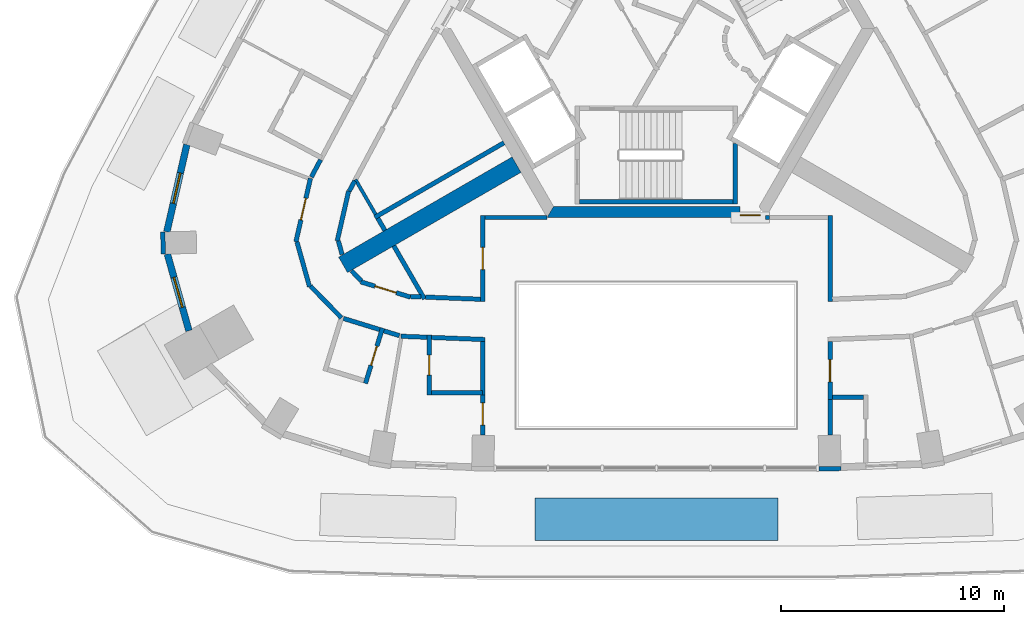
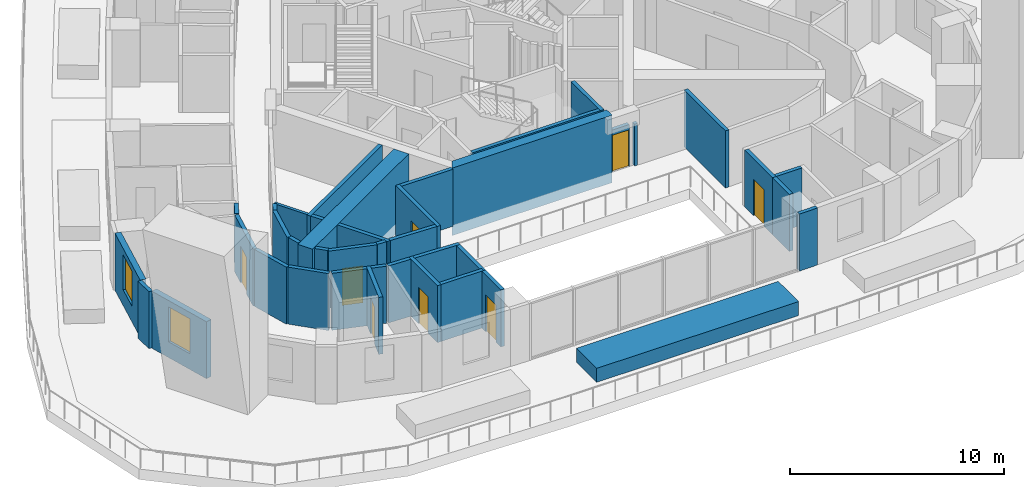
# One storey, part 3 of 12: 41 walls, 8 doors, 2 windows, 10 openings.
"""IFC4 building model written with IfcOpenShell, lengths in metres."""

from ifc_helpers import new_model, si_unit, direction, frame, frame_2d, origin, place, context, subcontext, project, spatial, polyline, rectangle, outline, extrude, material, layer, layer_set, type_object, element, fill, save


model = new_model("IFC4")

# Units and contexts
model_context = context("Model", 3, precision=1e-05, world=origin(), true_north=direction((0.0, 1.0)))
body_context = subcontext(model_context, "Body", "Model", "MODEL_VIEW")
ifc_project = project(units=[si_unit("LENGTHUNIT", "METRE"), si_unit("AREAUNIT", "SQUARE_METRE"), si_unit("VOLUMEUNIT", "CUBIC_METRE"), si_unit("PLANEANGLEUNIT", "RADIAN"), si_unit("MASSUNIT", "GRAM", prefix="KILO")], contexts=[model_context])

# Site, building, storey
site_placement = place(None, origin())
site = spatial("IfcSite", under=ifc_project, at=site_placement, CompositionType="ELEMENT")
building_placement = place(site_placement, origin())
building = spatial("IfcBuilding", under=site, at=building_placement, Name="Entoto Arch Interchange Tower", CompositionType="ELEMENT")
storey_placement = place(building_placement, frame((0.0, 0.0, 286.39990234375)))
storey = spatial("IfcBuildingStorey", under=building, at=storey_placement, Name="L66", CompositionType="ELEMENT", Elevation=286.39990234375)

# Wall
ifc_material_1 = material(Name="Concrete C40/50", Category="concrete")
ifc_layer_1 = layer(ifc_material_1, 0.800048828125)
ifc_layer_set_1 = layer_set([ifc_layer_1], Name="Concrete C40/50")
wall_type_1 = type_object("IfcWallType", Name="Buttress wall 800 C40/50", PredefinedType="SHEAR", material=ifc_layer_set_1)
wall_1_placement = place(storey_placement, frame((-6.279052734375, -3.625, -0.599853515625), z_axis=(0.0, 0.0, 1.0), x_axis=(-0.866017533419, -0.500013631625, 0.0)))
element("IfcWall", 1, at=wall_1_placement, inside=storey, type_object=wall_type_1, Name="Buttress wall SW L66", PredefinedType="SHEAR", context=body_context, shape_type="SweptSolid", body=[
    extrude(rectangle(XDim=8.999755859375, YDim=0.800048828125, at=frame_2d((4.5, 0.0))), origin(), (0.0, 0.0, 1.0), 3.85986328125),
])

# Wall, opening, door
ifc_material_2 = material(Name="Reinforced concrete C40/50", Category="concrete")
ifc_layer_2 = layer(ifc_material_2, 0.199951171875)
ifc_layer_set_2 = layer_set([ifc_layer_2], Name="Reinforced concrete C40/50")
wall_type_2 = type_object("IfcWallType", Name="CORE GAP INFILL WALL", PredefinedType="PARTITIONING", material=ifc_layer_set_2)
wall_2_placement = place(storey_placement, frame((3.75, -5.89990234375, 0.0), z_axis=(0.0, 0.0, 1.0), x_axis=(1.0, 0.0, 0.0)))
wall_2 = element("IfcWall", 2, at=wall_2_placement, inside=storey, type_object=wall_type_2, Name="wall:L66:gap1", PredefinedType="PARTITIONING", context=body_context, shape_type="SweptSolid", body=[
    extrude(rectangle(XDim=0.926025390625, YDim=0.199951171875, at=frame_2d((0.462890625, 0.0))), origin(), (0.0, 0.0, 1.0), 2.400146484375),
])
opening_1_placement = place(wall_2_placement, frame((0.01708984375, 0.0, 0.0)))
opening_1 = element("IfcOpeningElement", 3, at=opening_1_placement, cuts=wall_2, Name="Opening L66-D91", PredefinedType="OPENING", context=body_context, shape_type="SweptSolid", body=[
    extrude(rectangle(XDim=0.89990234375, YDim=2.10009765625, at=frame_2d((0.449951171875, 1.050048828125))), frame((0.0, 0.10986328125, 0.0), z_axis=(0.0, -1.0, 0.0), x_axis=(1.0, 0.0, 0.0)), (0.0, 0.0, 1.0), 0.219970703125),
])
ifc_material_3 = material(Name="Fire-rated Steel S235 door and frame", Category="steel")
door_type_1 = type_object("IfcDoorType", Name="DOOR FD-09 900x2100", OperationType="SINGLE_SWING_LEFT", PredefinedType="DOOR", material=ifc_material_3)
door_1_placement = place(opening_1_placement, origin())
door_1 = element("IfcDoor", 4, at=door_1_placement, inside=storey, type_object=door_type_1, Name="door:L66:gap1", OperationType="SINGLE_SWING_LEFT", OverallHeight=2.10009765625, OverallWidth=0.89990234375, PredefinedType="DOOR", context=body_context, shape_type="SweptSolid", body=[
    extrude(rectangle(XDim=0.89990234375, YDim=2.10009765625, at=frame_2d((0.449951171875, 1.050048828125))), frame((0.0, 0.02490234375, 0.0), z_axis=(0.0, -1.0, 0.0), x_axis=(1.0, 0.0, 0.0)), (0.0, 0.0, 1.0), 0.050048828125),
])
fill(opening_1, door_1)

# Walls
ifc_layer_3 = layer(ifc_material_1, 0.5)
ifc_layer_set_3 = layer_set([ifc_layer_3], Name="Concrete C40/50")
wall_type_3 = type_object("IfcWallType", Name="Core wall 500 C40/50", PredefinedType="SHEAR", material=ifc_layer_set_3)
wall_3_placement = place(storey_placement, frame((0.0, 0.0, -0.599853515625)))
element("IfcWall", 5, at=wall_3_placement, inside=storey, type_object=wall_type_3, Name="Core wall S L66", PredefinedType="SHEAR", context=body_context, shape_type="SweptSolid", body=[
    extrude(outline(polyline([(3.75, -6.0), (3.75, -5.5), (-4.618896484375, -5.5), (-4.906982421875, -6.0), (3.75, -6.0)])), origin(), (0.0, 0.0, 1.0), 3.85986328125),
])
ifc_material_4 = material(Name="Gypsum board partition on steel studs", Category="steel")
ifc_layer_4 = layer(ifc_material_4, 0.14990234375)
ifc_layer_set_4 = layer_set([ifc_layer_4], Name="Gypsum board partition on steel studs")
wall_type_4 = type_object("IfcWallType", Name="PARTITION 150", PredefinedType="PARTITIONING", material=ifc_layer_set_4)
wall_4_placement = place(storey_placement, frame((-12.611083984375, -5.85693359375, 0.0), z_axis=(0.0, 0.0, 1.0), x_axis=(-0.500120037633, 0.865956088932, 0.0)))
element("IfcWall", 6, at=wall_4_placement, inside=storey, type_object=wall_type_4, Name="wall:L66:p083", PredefinedType="PARTITIONING", context=body_context, shape_type="SweptSolid", body=[
    extrude(rectangle(XDim=1.80712890625, YDim=0.14990234375, at=frame_2d((0.903564453125, 0.0))), origin(), (0.0, 0.0, 1.0), 3.260009765625),
])
ifc_layer_5 = layer(ifc_material_4, 0.199951171875)
ifc_layer_set_5 = layer_set([ifc_layer_5], Name="Gypsum board partition on steel studs")
wall_type_5 = type_object("IfcWallType", Name="PARTITION 200", PredefinedType="PARTITIONING", material=ifc_layer_set_5)
wall_5_placement = place(storey_placement, frame((-10.366943359375, -9.573974609375, 0.0), z_axis=(0.0, 0.0, 1.0), x_axis=(0.999229139158, -0.039257196264, 0.0)))
element("IfcWall", 7, at=wall_5_placement, inside=storey, type_object=wall_type_5, Name="wall:L66:p023", PredefinedType="PARTITIONING", context=body_context, shape_type="SweptSolid", body=[
    extrude(rectangle(XDim=2.468994140625, YDim=0.199951171875, at=frame_2d((1.234375, 0.0))), origin(), (0.0, 0.0, 1.0), 3.260009765625),
])
wall_6_placement = place(storey_placement, frame((-13.550048828125, -4.35791015625, 0.0), z_axis=(0.0, 0.0, 1.0), x_axis=(-0.472169364753, -0.881507850781, 0.0)))
element("IfcWall", 8, at=wall_6_placement, inside=storey, type_object=wall_type_5, Name="wall:L66:p024", PredefinedType="PARTITIONING", context=body_context, shape_type="SweptSolid", body=[
    extrude(rectangle(XDim=0.520751953125, YDim=0.199951171875, at=frame_2d((0.26025390625, 0.0))), origin(), (0.0, 0.0, 1.0), 3.260009765625),
])
wall_7_placement = place(storey_placement, frame((-13.821044921875, -4.80810546875, 0.0), z_axis=(0.0, 0.0, 1.0), x_axis=(-0.223248099856, -0.97476165595, 0.0)))
element("IfcWall", 9, at=wall_7_placement, inside=storey, type_object=wall_type_5, Name="wall:L66:p025", PredefinedType="PARTITIONING", context=body_context, shape_type="SweptSolid", body=[
    extrude(rectangle(XDim=2.302001953125, YDim=0.199951171875, at=frame_2d((1.15087890625, 0.0))), origin(), (0.0, 0.0, 1.0), 3.260009765625),
])
wall_8_placement = place(storey_placement, frame((-14.285888671875, -7.051025390625, 0.0), z_axis=(0.0, 0.0, 1.0), x_axis=(0.270633612894, -0.96268242301, 0.0)))
element("IfcWall", 10, at=wall_8_placement, inside=storey, type_object=wall_type_5, Name="wall:L66:p026", PredefinedType="PARTITIONING", context=body_context, shape_type="SweptSolid", body=[
    extrude(rectangle(XDim=0.631591796875, YDim=0.199951171875, at=frame_2d((0.31591796875, 0.0))), origin(), (0.0, 0.0, 1.0), 3.260009765625),
])
wall_9_placement = place(storey_placement, frame((-13.68994140625, -8.39501953125, 0.0), z_axis=(0.0, 0.0, 1.0), x_axis=(0.698333537371, -0.715772499181, 0.0)))
element("IfcWall", 11, at=wall_9_placement, inside=storey, type_object=wall_type_5, Name="wall:L66:p027", PredefinedType="PARTITIONING", context=body_context, shape_type="SweptSolid", body=[
    extrude(rectangle(XDim=0.6298828125, YDim=0.199951171875, at=frame_2d((0.31494140625, 0.0))), origin(), (0.0, 0.0, 1.0), 3.260009765625),
])

# Wall, opening, door
wall_10_placement = place(storey_placement, frame((-13.27490234375, -8.887939453125, 0.0), z_axis=(0.0, 0.0, 1.0), x_axis=(0.955792602122, -0.294041666654, 0.0)))
wall_10 = element("IfcWall", 12, at=wall_10_placement, inside=storey, type_object=wall_type_5, Name="wall:L66:p028", PredefinedType="PARTITIONING", context=body_context, shape_type="SweptSolid", body=[
    extrude(rectangle(XDim=2.329833984375, YDim=0.199951171875, at=frame_2d((1.1650390625, 0.0))), origin(), (0.0, 0.0, 1.0), 3.260009765625),
])
opening_2_placement = place(wall_10_placement, frame((0.6650390625, 0.0, 0.0)))
opening_2 = element("IfcOpeningElement", 13, at=opening_2_placement, cuts=wall_10, Name="Opening L66-D33", PredefinedType="OPENING", context=body_context, shape_type="SweptSolid", body=[
    extrude(rectangle(XDim=1.0, YDim=2.10009765625, at=frame_2d((0.5, 1.050048828125))), frame((0.0, 0.10986328125, 0.0), z_axis=(0.0, -1.0, 0.0), x_axis=(1.0, 0.0, 0.0)), (0.0, 0.0, 1.0), 0.219970703125),
])
ifc_material_5 = material(Name="Timber door leaf in Steel S235 frame", Category="steel")
door_type_2 = type_object("IfcDoorType", Name="DOOR DS-10 1000x2100", OperationType="SINGLE_SWING_LEFT", PredefinedType="DOOR", material=ifc_material_5)
door_2_placement = place(opening_2_placement, origin())
door_2 = element("IfcDoor", 14, at=door_2_placement, inside=storey, type_object=door_type_2, Name="door:L66:33", OperationType="SINGLE_SWING_LEFT", OverallHeight=2.10009765625, OverallWidth=1.0, PredefinedType="DOOR", context=body_context, shape_type="SweptSolid", body=[
    extrude(rectangle(XDim=1.0, YDim=2.10009765625, at=frame_2d((0.5, 1.050048828125))), frame((0.0, 0.02490234375, 0.0), z_axis=(0.0, -1.0, 0.0), x_axis=(1.0, 0.0, 0.0)), (0.0, 0.0, 1.0), 0.050048828125),
])
fill(opening_2, door_2)

# Walls
wall_11_placement = place(storey_placement, frame((-11.0439453125, -9.547119140625, 0.0), z_axis=(0.0, 0.0, 1.0), x_axis=(0.999224473046, -0.039375785274, 0.0)))
element("IfcWall", 15, at=wall_11_placement, inside=storey, type_object=wall_type_5, Name="wall:L66:p029", PredefinedType="PARTITIONING", context=body_context, shape_type="SweptSolid", body=[
    extrude(rectangle(XDim=0.4775390625, YDim=0.199951171875, at=frame_2d((0.23876953125, 0.0))), origin(), (0.0, 0.0, 1.0), 3.260009765625),
])
wall_12_placement = place(storey_placement, frame((-15.49609375, -4.179931640625, 0.0), z_axis=(0.0, 0.0, 1.0), x_axis=(0.471280380621, 0.881983448167, 0.0)))
element("IfcWall", 16, at=wall_12_placement, inside=storey, type_object=wall_type_5, Name="wall:L66:p052", PredefinedType="PARTITIONING", context=body_context, shape_type="SweptSolid", body=[
    extrude(rectangle(XDim=0.878662109375, YDim=0.199951171875, at=frame_2d((0.439453125, 0.0))), origin(), (0.0, 0.0, 1.0), 3.260009765625),
])
wall_13_placement = place(storey_placement, frame((-11.5439453125, -11.302978515625, 0.0), z_axis=(0.0, 0.0, 1.0), x_axis=(-0.956186468463, 0.292758326147, 0.0)))
element("IfcWall", 17, at=wall_13_placement, inside=storey, type_object=wall_type_5, Name="wall:L66:p054", PredefinedType="PARTITIONING", context=body_context, shape_type="SweptSolid", body=[
    extrude(rectangle(XDim=0.723876953125, YDim=0.199951171875, at=frame_2d((0.36181640625, 0.0))), origin(), (0.0, 0.0, 1.0), 3.260009765625),
])
wall_14_placement = place(storey_placement, frame((-14.14697265625, -10.5029296875, 0.0), z_axis=(0.0, 0.0, 1.0), x_axis=(-0.698515752779, 0.715594677957, 0.0)))
element("IfcWall", 18, at=wall_14_placement, inside=storey, type_object=wall_type_5, Name="wall:L66:p055", PredefinedType="PARTITIONING", context=body_context, shape_type="SweptSolid", body=[
    extrude(rectangle(XDim=1.987060546875, YDim=0.199951171875, at=frame_2d((0.99365234375, 0.0))), origin(), (0.0, 0.0, 1.0), 3.260009765625),
])
wall_15_placement = place(storey_placement, frame((-15.577880859375, -9.10595703125, 0.0), z_axis=(0.0, 0.0, 1.0), x_axis=(-0.270688011946, 0.962667128445, 0.0)))
element("IfcWall", 19, at=wall_15_placement, inside=storey, type_object=wall_type_5, Name="wall:L66:p056", PredefinedType="PARTITIONING", context=body_context, shape_type="SweptSolid", body=[
    extrude(rectangle(XDim=2.087890625, YDim=0.199951171875, at=frame_2d((1.0439453125, 0.0))), origin(), (0.0, 0.0, 1.0), 3.260009765625),
])

# Wall, opening, door
wall_16_placement = place(storey_placement, frame((-16.19189453125, -7.097900390625, 0.0), z_axis=(0.0, 0.0, 1.0), x_axis=(0.22330023395, 0.974749714295, 0.0)))
wall_16 = element("IfcWall", 20, at=wall_16_placement, inside=storey, type_object=wall_type_5, Name="wall:L66:p057", PredefinedType="PARTITIONING", context=body_context, shape_type="SweptSolid", body=[
    extrude(rectangle(XDim=2.927978515625, YDim=0.199951171875, at=frame_2d((1.4638671875, 0.0))), origin(), (0.0, 0.0, 1.0), 3.260009765625),
])
opening_3_placement = place(wall_16_placement, frame((1.013916015625, 0.0, 0.0)))
opening_3 = element("IfcOpeningElement", 21, at=opening_3_placement, cuts=wall_16, Name="Opening L66-D24", PredefinedType="OPENING", context=body_context, shape_type="SweptSolid", body=[
    extrude(rectangle(XDim=1.0, YDim=2.10009765625, at=frame_2d((0.5, 1.050048828125))), frame((0.0, 0.10986328125, 0.0), z_axis=(0.0, -1.0, 0.0), x_axis=(1.0, 0.0, 0.0)), (0.0, 0.0, 1.0), 0.219970703125),
])
door_type_3 = type_object("IfcDoorType", Name="DOOR FD-10 1000x2100", OperationType="SINGLE_SWING_LEFT", PredefinedType="DOOR", material=ifc_material_3)
door_3_placement = place(opening_3_placement, origin())
door_3 = element("IfcDoor", 22, at=door_3_placement, inside=storey, type_object=door_type_3, Name="door:L66:24", OperationType="SINGLE_SWING_LEFT", OverallHeight=2.10009765625, OverallWidth=1.0, PredefinedType="DOOR", context=body_context, shape_type="SweptSolid", body=[
    extrude(rectangle(XDim=1.0, YDim=2.10009765625, at=frame_2d((0.5, 1.050048828125))), frame((0.0, 0.02490234375, 0.0), z_axis=(0.0, -1.0, 0.0), x_axis=(1.0, 0.0, 0.0)), (0.0, 0.0, 1.0), 0.050048828125),
])
fill(opening_3, door_3)

# Walls
wall_17_placement = place(storey_placement, frame((-12.427001953125, -11.031982421875, 0.0), z_axis=(0.0, 0.0, 1.0), x_axis=(-0.955940341053, 0.293561006177, 0.0)))
element("IfcWall", 23, at=wall_17_placement, inside=storey, type_object=wall_type_5, Name="wall:L66:p058", PredefinedType="PARTITIONING", context=body_context, shape_type="SweptSolid", body=[
    extrude(rectangle(XDim=1.699951171875, YDim=0.199951171875, at=frame_2d((0.85009765625, 0.0))), origin(), (0.0, 0.0, 1.0), 3.260009765625),
])
wall_18_placement = place(storey_placement, frame((-10.299072265625, -11.3779296875, 0.0), z_axis=(0.0, 0.0, 1.0), x_axis=(-0.999237995813, 0.03903111224, 0.0)))
element("IfcWall", 24, at=wall_18_placement, inside=storey, type_object=wall_type_5, Name="wall:L66:p059", PredefinedType="PARTITIONING", context=body_context, shape_type="SweptSolid", body=[
    extrude(rectangle(XDim=1.176025390625, YDim=0.199951171875, at=frame_2d((0.587890625, 0.0))), origin(), (0.0, 0.0, 1.0), 3.260009765625),
])
wall_19_placement = place(storey_placement, frame((-7.699951171875, -11.47998046875, 0.0), z_axis=(0.0, 0.0, 1.0), x_axis=(-0.999233433291, 0.039147743138, 0.0)))
element("IfcWall", 25, at=wall_19_placement, inside=storey, type_object=wall_type_5, Name="wall:L66:p060", PredefinedType="PARTITIONING", context=body_context, shape_type="SweptSolid", body=[
    extrude(rectangle(XDim=2.401123046875, YDim=0.199951171875, at=frame_2d((1.20068359375, 0.0))), origin(), (0.0, 0.0, 1.0), 3.260009765625),
])
wall_20_placement = place(storey_placement, frame((4.907958984375, -5.9990234375, 0.0), z_axis=(0.0, 0.0, 1.0), x_axis=(1.0, 0.0, 0.0)))
element("IfcWall", 26, at=wall_20_placement, inside=storey, type_object=wall_type_5, Name="wall:L66:p073", PredefinedType="PARTITIONING", context=body_context, shape_type="SweptSolid", body=[
    extrude(rectangle(XDim=0.16796875, YDim=0.199951171875, at=frame_2d((0.083984375, 0.0))), origin(), (0.0, 0.0, 1.0), 2.400146484375),
])
wall_21_placement = place(storey_placement, frame((7.800048828125, -5.89892578125, 0.0), z_axis=(0.0, 0.0, 1.0), x_axis=(0.0, -1.0, 0.0)))
element("IfcWall", 27, at=wall_21_placement, inside=storey, type_object=wall_type_5, Name="wall:L66:p074", PredefinedType="PARTITIONING", context=body_context, shape_type="SweptSolid", body=[
    extrude(rectangle(XDim=3.8759765625, YDim=0.199951171875, at=frame_2d((1.93798828125, 0.0))), origin(), (0.0, 0.0, 1.0), 3.260009765625),
])

# Wall, opening, door
wall_22_placement = place(storey_placement, frame((-7.800048828125, -9.77490234375, 0.0), z_axis=(0.0, 0.0, 1.0), x_axis=(0.0, 1.0, 0.0)))
wall_22 = element("IfcWall", 28, at=wall_22_placement, inside=storey, type_object=wall_type_5, Name="wall:L66:p075", PredefinedType="PARTITIONING", context=body_context, shape_type="SweptSolid", body=[
    extrude(rectangle(XDim=3.8759765625, YDim=0.199951171875, at=frame_2d((1.93798828125, 0.0))), origin(), (0.0, 0.0, 1.0), 3.260009765625),
])
opening_4_placement = place(wall_22_placement, frame((1.43798828125, 0.0, 0.0)))
opening_4 = element("IfcOpeningElement", 29, at=opening_4_placement, cuts=wall_22, Name="Opening L66-D32", PredefinedType="OPENING", context=body_context, shape_type="SweptSolid", body=[
    extrude(rectangle(XDim=1.0, YDim=2.10009765625, at=frame_2d((0.5, 1.050048828125))), frame((0.0, 0.10986328125, 0.0), z_axis=(0.0, -1.0, 0.0), x_axis=(1.0, 0.0, 0.0)), (0.0, 0.0, 1.0), 0.219970703125),
])
door_4_placement = place(opening_4_placement, origin())
door_4 = element("IfcDoor", 30, at=door_4_placement, inside=storey, type_object=door_type_2, Name="door:L66:32", OperationType="SINGLE_SWING_LEFT", OverallHeight=2.10009765625, OverallWidth=1.0, PredefinedType="DOOR", context=body_context, shape_type="SweptSolid", body=[
    extrude(rectangle(XDim=1.0, YDim=2.10009765625, at=frame_2d((0.5, 1.050048828125))), frame((0.0, 0.02490234375, 0.0), z_axis=(0.0, -1.0, 0.0), x_axis=(1.0, 0.0, 0.0)), (0.0, 0.0, 1.0), 0.050048828125),
])
fill(opening_4, door_4)

# Wall
wall_23_placement = place(storey_placement, frame((-7.699951171875, -5.9990234375, 0.0), z_axis=(0.0, 0.0, 1.0), x_axis=(1.0, 0.0, 0.0)))
element("IfcWall", 31, at=wall_23_placement, inside=storey, type_object=wall_type_5, Name="wall:L66:p076", PredefinedType="PARTITIONING", context=body_context, shape_type="SweptSolid", body=[
    extrude(rectangle(XDim=2.7919921875, YDim=0.199951171875, at=frame_2d((1.39599609375, 0.0))), origin(), (0.0, 0.0, 1.0), 3.260009765625),
])

# Wall, opening, door
wall_24_placement = place(storey_placement, frame((7.800048828125, -11.575927734375, 0.0), z_axis=(0.0, 0.0, 1.0), x_axis=(0.0, -1.0, 0.0)))
wall_24 = element("IfcWall", 32, at=wall_24_placement, inside=storey, type_object=wall_type_5, Name="wall:L66:p077", PredefinedType="PARTITIONING", context=body_context, shape_type="SweptSolid", body=[
    extrude(rectangle(XDim=2.60498046875, YDim=0.199951171875, at=frame_2d((1.302490234375, 0.0))), origin(), (0.0, 0.0, 1.0), 3.260009765625),
])
opening_5_placement = place(wall_24_placement, frame((0.802001953125, 0.0, 0.0)))
opening_5 = element("IfcOpeningElement", 33, at=opening_5_placement, cuts=wall_24, Name="Opening L66-D01", PredefinedType="OPENING", context=body_context, shape_type="SweptSolid", body=[
    extrude(rectangle(XDim=1.0, YDim=2.10009765625, at=frame_2d((0.5, 1.050048828125))), frame((0.0, 0.10986328125, 0.0), z_axis=(0.0, -1.0, 0.0), x_axis=(1.0, 0.0, 0.0)), (0.0, 0.0, 1.0), 0.219970703125),
])
door_5_placement = place(opening_5_placement, origin())
door_5 = element("IfcDoor", 34, at=door_5_placement, inside=storey, type_object=door_type_3, Name="door:L66:01", OperationType="SINGLE_SWING_LEFT", OverallHeight=2.10009765625, OverallWidth=1.0, PredefinedType="DOOR", context=body_context, shape_type="SweptSolid", body=[
    extrude(rectangle(XDim=1.0, YDim=2.10009765625, at=frame_2d((0.5, 1.050048828125))), frame((0.0, 0.02490234375, 0.0), z_axis=(0.0, -1.0, 0.0), x_axis=(1.0, 0.0, 0.0)), (0.0, 0.0, 1.0), 0.050048828125),
])
fill(opening_5, door_5)

# Wall
wall_25_placement = place(storey_placement, frame((7.800048828125, -14.180908203125, 0.0), z_axis=(0.0, 0.0, 1.0), x_axis=(0.0, -1.0, 0.0)))
element("IfcWall", 35, at=wall_25_placement, inside=storey, type_object=wall_type_5, Name="wall:L66:p078", PredefinedType="PARTITIONING", context=body_context, shape_type="SweptSolid", body=[
    extrude(rectangle(XDim=1.580078125, YDim=0.199951171875, at=frame_2d((0.7900390625, 0.0))), origin(), (0.0, 0.0, 1.0), 3.260009765625),
])

# Wall, opening, door
wall_26_placement = place(storey_placement, frame((-7.800048828125, -15.760986328125, 0.0), z_axis=(0.0, 0.0, 1.0), x_axis=(0.0, 1.0, 0.0)))
wall_26 = element("IfcWall", 36, at=wall_26_placement, inside=storey, type_object=wall_type_5, Name="wall:L66:p079", PredefinedType="PARTITIONING", context=body_context, shape_type="SweptSolid", body=[
    extrude(rectangle(XDim=1.784912109375, YDim=0.199951171875, at=frame_2d((0.892578125, 0.0))), origin(), (0.0, 0.0, 1.0), 3.260009765625),
])
opening_6_placement = place(wall_26_placement, frame((0.44189453125, 0.0, 0.0)))
opening_6 = element("IfcOpeningElement", 37, at=opening_6_placement, cuts=wall_26, Name="Opening L66-D26", PredefinedType="OPENING", context=body_context, shape_type="SweptSolid", body=[
    extrude(rectangle(XDim=1.0, YDim=2.10009765625, at=frame_2d((0.5, 1.050048828125))), frame((0.0, 0.10986328125, 0.0), z_axis=(0.0, -1.0, 0.0), x_axis=(1.0, 0.0, 0.0)), (0.0, 0.0, 1.0), 0.219970703125),
])
door_6_placement = place(opening_6_placement, origin())
door_6 = element("IfcDoor", 38, at=door_6_placement, inside=storey, type_object=door_type_3, Name="door:L66:26", OperationType="SINGLE_SWING_RIGHT", OverallHeight=2.10009765625, OverallWidth=1.0, PredefinedType="DOOR", context=body_context, shape_type="SweptSolid", body=[
    extrude(rectangle(XDim=1.0, YDim=2.10009765625, at=frame_2d((0.5, 1.050048828125))), frame((0.0, 0.02490234375, 0.0), z_axis=(0.0, -1.0, 0.0), x_axis=(1.0, 0.0, 0.0)), (0.0, 0.0, 1.0), 0.050048828125),
])
fill(opening_6, door_6)

# Walls
wall_27_placement = place(storey_placement, frame((-7.800048828125, -13.97607421875, 0.0), z_axis=(0.0, 0.0, 1.0), x_axis=(0.0, 1.0, 0.0)))
element("IfcWall", 39, at=wall_27_placement, inside=storey, type_object=wall_type_5, Name="wall:L66:p080", PredefinedType="PARTITIONING", context=body_context, shape_type="SweptSolid", body=[
    extrude(rectangle(XDim=2.400146484375, YDim=0.199951171875, at=frame_2d((1.2001953125, 0.0))), origin(), (0.0, 0.0, 1.0), 3.260009765625),
])
wall_28_placement = place(storey_placement, frame((-6.844970703125, -2.64306640625, 0.0), z_axis=(0.0, 0.0, 1.0), x_axis=(-0.865994457699, -0.500053596362, 0.0)))
element("IfcWall", 40, at=wall_28_placement, inside=storey, type_object=wall_type_5, Name="wall:L66:p082", PredefinedType="PARTITIONING", context=body_context, shape_type="SweptSolid", body=[
    extrude(rectangle(XDim=6.700927734375, YDim=0.199951171875, at=frame_2d((3.3505859375, 0.0))), origin(), (0.0, 0.0, 1.0), 3.260009765625),
])
wall_29_placement = place(storey_placement, frame((-10.4169921875, -9.656982421875, 0.0), z_axis=(0.0, 0.0, 1.0), x_axis=(-0.499837531988, 0.866119184418, 0.0)))
element("IfcWall", 41, at=wall_29_placement, inside=storey, type_object=wall_type_5, Name="wall:L66:p084", PredefinedType="PARTITIONING", context=body_context, shape_type="SweptSolid", body=[
    extrude(rectangle(XDim=2.7548828125, YDim=0.199951171875, at=frame_2d((1.37744140625, 0.0))), origin(), (0.0, 0.0, 1.0), 3.260009765625),
])
wall_30_placement = place(storey_placement, frame((9.300048828125, -14.0810546875, 0.0), z_axis=(0.0, 0.0, 1.0), x_axis=(-1.0, 0.0, 0.0)))
element("IfcWall", 42, at=wall_30_placement, inside=storey, type_object=wall_type_5, Name="wall:L66:p086", PredefinedType="PARTITIONING", context=body_context, shape_type="SweptSolid", body=[
    extrude(rectangle(XDim=1.400146484375, YDim=0.199951171875, at=frame_2d((0.7001953125, 0.0))), origin(), (0.0, 0.0, 1.0), 3.260009765625),
])

# Wall, opening, door
wall_31_placement = place(storey_placement, frame((-13.06591796875, -13.450927734375, 0.0), z_axis=(0.0, 0.0, 1.0), x_axis=(0.293854864179, 0.955850050373, 0.0)))
wall_31 = element("IfcWall", 43, at=wall_31_placement, inside=storey, type_object=wall_type_5, Name="wall:L66:p129", PredefinedType="PARTITIONING", context=body_context, shape_type="SweptSolid", body=[
    extrude(rectangle(XDim=2.599609375, YDim=0.199951171875, at=frame_2d((1.2998046875, 0.0))), origin(), (0.0, 0.0, 1.0), 3.260009765625),
])
opening_7_placement = place(wall_31_placement, frame((0.85009765625, 0.0, 0.0)))
opening_7 = element("IfcOpeningElement", 44, at=opening_7_placement, cuts=wall_31, Name="Opening L66-D25", PredefinedType="OPENING", context=body_context, shape_type="SweptSolid", body=[
    extrude(rectangle(XDim=0.89990234375, YDim=2.10009765625, at=frame_2d((0.449951171875, 1.050048828125))), frame((0.0, 0.10986328125, 0.0), z_axis=(0.0, -1.0, 0.0), x_axis=(1.0, 0.0, 0.0)), (0.0, 0.0, 1.0), 0.219970703125),
])
door_type_4 = type_object("IfcDoorType", Name="DOOR DS-09 900x2100", OperationType="SINGLE_SWING_LEFT", PredefinedType="DOOR", material=ifc_material_5)
door_7_placement = place(opening_7_placement, origin())
door_7 = element("IfcDoor", 45, at=door_7_placement, inside=storey, type_object=door_type_4, Name="door:L66:25", OperationType="SINGLE_SWING_LEFT", OverallHeight=2.10009765625, OverallWidth=0.89990234375, PredefinedType="DOOR", context=body_context, shape_type="SweptSolid", body=[
    extrude(rectangle(XDim=0.89990234375, YDim=2.10009765625, at=frame_2d((0.449951171875, 1.050048828125))), frame((0.0, 0.02490234375, 0.0), z_axis=(0.0, -1.0, 0.0), x_axis=(1.0, 0.0, 0.0)), (0.0, 0.0, 1.0), 0.050048828125),
])
fill(opening_7, door_7)

wall_32_placement = place(storey_placement, frame((-10.198974609375, -11.281982421875, 0.0), z_axis=(0.0, 0.0, 1.0), x_axis=(-0.000362482985, -0.999999934303, 0.0)))
wall_32 = element("IfcWall", 46, at=wall_32_placement, inside=storey, type_object=wall_type_5, Name="wall:L66:p131", PredefinedType="PARTITIONING", context=body_context, shape_type="SweptSolid", body=[
    extrude(rectangle(XDim=2.694091796875, YDim=0.199951171875, at=frame_2d((1.34716796875, 0.0))), origin(), (0.0, 0.0, 1.0), 3.260009765625),
])
opening_8_placement = place(wall_32_placement, frame((0.89697265625, 0.0, 0.0)))
opening_8 = element("IfcOpeningElement", 47, at=opening_8_placement, cuts=wall_32, Name="Opening L66-D27", PredefinedType="OPENING", context=body_context, shape_type="SweptSolid", body=[
    extrude(rectangle(XDim=0.89990234375, YDim=2.10009765625, at=frame_2d((0.449951171875, 1.050048828125))), frame((0.0, 0.10986328125, 0.0), z_axis=(0.0, -1.0, 0.0), x_axis=(1.0, 0.0, 0.0)), (0.0, 0.0, 1.0), 0.219970703125),
])
door_8_placement = place(opening_8_placement, origin())
door_8 = element("IfcDoor", 48, at=door_8_placement, inside=storey, type_object=door_type_4, Name="door:L66:27", OperationType="SINGLE_SWING_LEFT", OverallHeight=2.10009765625, OverallWidth=0.89990234375, PredefinedType="DOOR", context=body_context, shape_type="SweptSolid", body=[
    extrude(rectangle(XDim=0.89990234375, YDim=2.10009765625, at=frame_2d((0.449951171875, 1.050048828125))), frame((0.0, 0.02490234375, 0.0), z_axis=(0.0, -1.0, 0.0), x_axis=(1.0, 0.0, 0.0)), (0.0, 0.0, 1.0), 0.050048828125),
])
fill(opening_8, door_8)

# Walls
wall_33_placement = place(storey_placement, frame((-10.10009765625, -13.8759765625, 0.0), z_axis=(0.0, 0.0, 1.0), x_axis=(1.0, 0.0, 0.0)))
element("IfcWall", 49, at=wall_33_placement, inside=storey, type_object=wall_type_5, Name="wall:L66:p132", PredefinedType="PARTITIONING", context=body_context, shape_type="SweptSolid", body=[
    extrude(rectangle(XDim=2.300048828125, YDim=0.199951171875, at=frame_2d((1.14990234375, 0.0))), origin(), (0.0, 0.0, 1.0), 3.260009765625),
])
wall_34_placement = place(storey_placement, frame((-12.194091796875, -6.577880859375, 0.0), z_axis=(0.0, 0.0, 1.0), x_axis=(-0.500701704226, 0.865619895442, 0.0)))
element("IfcWall", 50, at=wall_34_placement, inside=storey, type_object=wall_type_5, Name="wall:L66:p084", PredefinedType="PARTITIONING", context=body_context, shape_type="SweptSolid", body=[
    extrude(rectangle(XDim=0.6328125, YDim=0.199951171875, at=frame_2d((0.31640625, 0.0))), origin(), (0.0, 0.0, 1.0), 3.260009765625),
])
ifc_material_6 = material(Name="Board-marked precast concrete C50/60", Category="concrete")
ifc_layer_6 = layer(ifc_material_6, 1.89990234375)
ifc_layer_set_6 = layer_set([ifc_layer_6], Name="Board-marked precast concrete C50/60")
wall_type_6 = type_object("IfcWallType", Name="PLANTER RC 1900 Juniperus procera", PredefinedType="STANDARD", material=ifc_layer_set_6)
wall_35_placement = place(storey_placement, frame((-5.4599609375, -19.553955078125, 0.0), z_axis=(0.0, 0.0, 1.0), x_axis=(1.0, 0.0, 0.0)))
element("IfcWall", 51, at=wall_35_placement, inside=storey, type_object=wall_type_6, Name="Terrace planter S-02 L66", PredefinedType="STANDARD", context=body_context, shape_type="SweptSolid", body=[
    extrude(rectangle(XDim=10.919921875, YDim=1.89990234375, at=frame_2d((5.4599609375, 0.0))), origin(), (0.0, 0.0, 1.0), 0.800048828125),
])
ifc_layer_7 = layer(ifc_material_1, 0.199951171875)
ifc_layer_set_7 = layer_set([ifc_layer_7], Name="Concrete C40/50")
wall_type_7 = type_object("IfcWallType", Name="STAIR ENCLOSURE WALL 200", PredefinedType="STANDARD", material=ifc_layer_set_7)
wall_36_placement = place(storey_placement, frame((3.550048828125, -2.6669921875, 0.0), z_axis=(0.0, 0.0, 1.0), x_axis=(0.0, -1.0, 0.0)))
element("IfcWall", 52, at=wall_36_placement, inside=storey, type_object=wall_type_7, Name="Stair wall ST-S far", PredefinedType="STANDARD", context=body_context, shape_type="SweptSolid", body=[
    extrude(rectangle(XDim=2.73291015625, YDim=0.199951171875, at=frame_2d((1.366455078125, 0.0))), origin(), (0.0, 0.0, 1.0), 3.260009765625),
])
wall_37_placement = place(storey_placement, frame((-3.449951171875, -5.300048828125, 0.0), z_axis=(0.0, 0.0, 1.0), x_axis=(1.0, 0.0, 0.0)))
element("IfcWall", 53, at=wall_37_placement, inside=storey, type_object=wall_type_7, Name="Stair wall ST-S back", PredefinedType="STANDARD", context=body_context, shape_type="SweptSolid", body=[
    extrude(rectangle(XDim=6.89990234375, YDim=0.199951171875, at=frame_2d((3.449951171875, 0.0))), origin(), (0.0, 0.0, 1.0), 3.260009765625),
])

# Wall, opening, window
ifc_material_7 = material(Name="Welded tuff (ignimbrite) cladding, warm buff", Category="masonry")
ifc_layer_8 = layer(ifc_material_7, 0.300048828125)
ifc_layer_set_8 = layer_set([ifc_layer_8], Name="Welded tuff (ignimbrite) cladding, warm buff")
wall_type_8 = type_object("IfcWallType", Name="STONE INFILL WALL 300", PredefinedType="STANDARD", material=ifc_layer_set_8)
wall_38_placement = place(storey_placement, frame((-21.089111328125, -2.72509765625, 0.0), z_axis=(0.0, 0.0, 1.0), x_axis=(-0.223448307338, -0.974715781112, 0.0)))
wall_38 = element("IfcWall", 54, at=wall_38_placement, inside=storey, type_object=wall_type_8, Name="Facade wall SW-01 L66", PredefinedType="STANDARD", context=body_context, shape_type="SweptSolid", body=[
    extrude(rectangle(XDim=4.0185546875, YDim=0.300048828125, at=frame_2d((2.00927734375, 0.0))), origin(), (0.0, 0.0, 1.0), 3.260009765625),
])
opening_9_placement = place(wall_38_placement, frame((1.30908203125, 0.0, 0.89990234375)))
opening_9 = element("IfcOpeningElement", 55, at=opening_9_placement, cuts=wall_38, Name="Opening WH-B", PredefinedType="OPENING", context=body_context, shape_type="SweptSolid", body=[
    extrude(rectangle(XDim=1.39990234375, YDim=2.0, at=frame_2d((0.699951171875, 1.0))), frame((0.0, 0.16015625, 0.0), z_axis=(0.0, -1.0, 0.0), x_axis=(1.0, 0.0, 0.0)), (0.0, 0.0, 1.0), 0.320068359375),
])
ifc_material_8 = material(Name="Clear glass, low-e double glazed", Category="glass")
window_type = type_object("IfcWindowType", Name="WINDOW WH-B 1400x2000", PartitioningType="DOUBLE_PANEL_VERTICAL", PredefinedType="WINDOW", material=ifc_material_8)
window_1_placement = place(opening_9_placement, origin())
window_1 = element("IfcWindow", 56, at=window_1_placement, inside=storey, type_object=window_type, Name="Window WH-B SW-01 L66", OverallHeight=2.0, OverallWidth=1.39990234375, PartitioningType="SINGLE_PANEL", PredefinedType="WINDOW", context=body_context, shape_type="SweptSolid", body=[
    extrude(rectangle(XDim=1.39990234375, YDim=2.0, at=frame_2d((0.699951171875, 1.0))), frame((0.0, 0.030029296875, 0.0), z_axis=(0.0, -1.0, 0.0), x_axis=(1.0, 0.0, 0.0)), (0.0, 0.0, 1.0), 0.06005859375),
])
fill(opening_9, window_1)

wall_39_placement = place(storey_placement, frame((-21.962890625, -7.639892578125, 0.0), z_axis=(0.0, 0.0, 1.0), x_axis=(0.270589405397, -0.962694849725, 0.0)))
wall_39 = element("IfcWall", 57, at=wall_39_placement, inside=storey, type_object=wall_type_8, Name="Facade wall SW-02 L66", PredefinedType="STANDARD", context=body_context, shape_type="SweptSolid", body=[
    extrude(rectangle(XDim=3.57666015625, YDim=0.300048828125, at=frame_2d((1.788330078125, 0.0))), origin(), (0.0, 0.0, 1.0), 3.260009765625),
])
opening_10_placement = place(wall_39_placement, frame((1.087890625, 0.0, 0.89990234375)))
opening_10 = element("IfcOpeningElement", 58, at=opening_10_placement, cuts=wall_39, Name="Opening WH-B", PredefinedType="OPENING", context=body_context, shape_type="SweptSolid", body=[
    extrude(rectangle(XDim=1.39990234375, YDim=2.0, at=frame_2d((0.699951171875, 1.0))), frame((0.0, 0.16015625, 0.0), z_axis=(0.0, -1.0, 0.0), x_axis=(1.0, 0.0, 0.0)), (0.0, 0.0, 1.0), 0.320068359375),
])
window_2_placement = place(opening_10_placement, origin())
window_2 = element("IfcWindow", 59, at=window_2_placement, inside=storey, type_object=window_type, Name="Window WH-B SW-02 L66", OverallHeight=2.0, OverallWidth=1.39990234375, PartitioningType="SINGLE_PANEL", PredefinedType="WINDOW", context=body_context, shape_type="SweptSolid", body=[
    extrude(rectangle(XDim=1.39990234375, YDim=2.0, at=frame_2d((0.699951171875, 1.0))), frame((0.0, 0.030029296875, 0.0), z_axis=(0.0, -1.0, 0.0), x_axis=(1.0, 0.0, 0.0)), (0.0, 0.0, 1.0), 0.06005859375),
])
fill(opening_10, window_2)

# Walls
ifc_layer_9 = layer(ifc_material_7, 0.199951171875)
ifc_layer_set_9 = layer_set([ifc_layer_9], Name="Welded tuff (ignimbrite) cladding, warm buff")
wall_type_9 = type_object("IfcWallType", Name="STONE PIER CLADDING 200", PredefinedType="STANDARD", material=ifc_layer_set_9)
wall_40_placement = place(storey_placement, frame((7.298095703125, -17.291015625, 0.0), z_axis=(0.0, 0.0, 1.0), x_axis=(0.999799669399, 0.020015520725, 0.0)))
element("IfcWall", 60, at=wall_40_placement, inside=storey, type_object=wall_type_9, Name="Stone pier S03 L66", PredefinedType="STANDARD", context=body_context, shape_type="SweptSolid", body=[
    extrude(rectangle(XDim=1.000244140625, YDim=0.199951171875, at=frame_2d((0.5, 0.0))), origin(), (0.0, 0.0, 1.0), 3.260009765625),
])
wall_41_placement = place(storey_placement, frame((-22.1689453125, -6.64599609375, 0.0), z_axis=(0.0, 0.0, 1.0), x_axis=(0.023942303888, -0.999713341956, 0.0)))
element("IfcWall", 61, at=wall_41_placement, inside=storey, type_object=wall_type_9, Name="Stone pier SW1 L66", PredefinedType="STANDARD", context=body_context, shape_type="SweptSolid", body=[
    extrude(rectangle(XDim=0.999267578125, YDim=0.199951171875, at=frame_2d((0.49951171875, 0.0))), origin(), (0.0, 0.0, 1.0), 3.260009765625),
])

save(model, "model.ifc")
